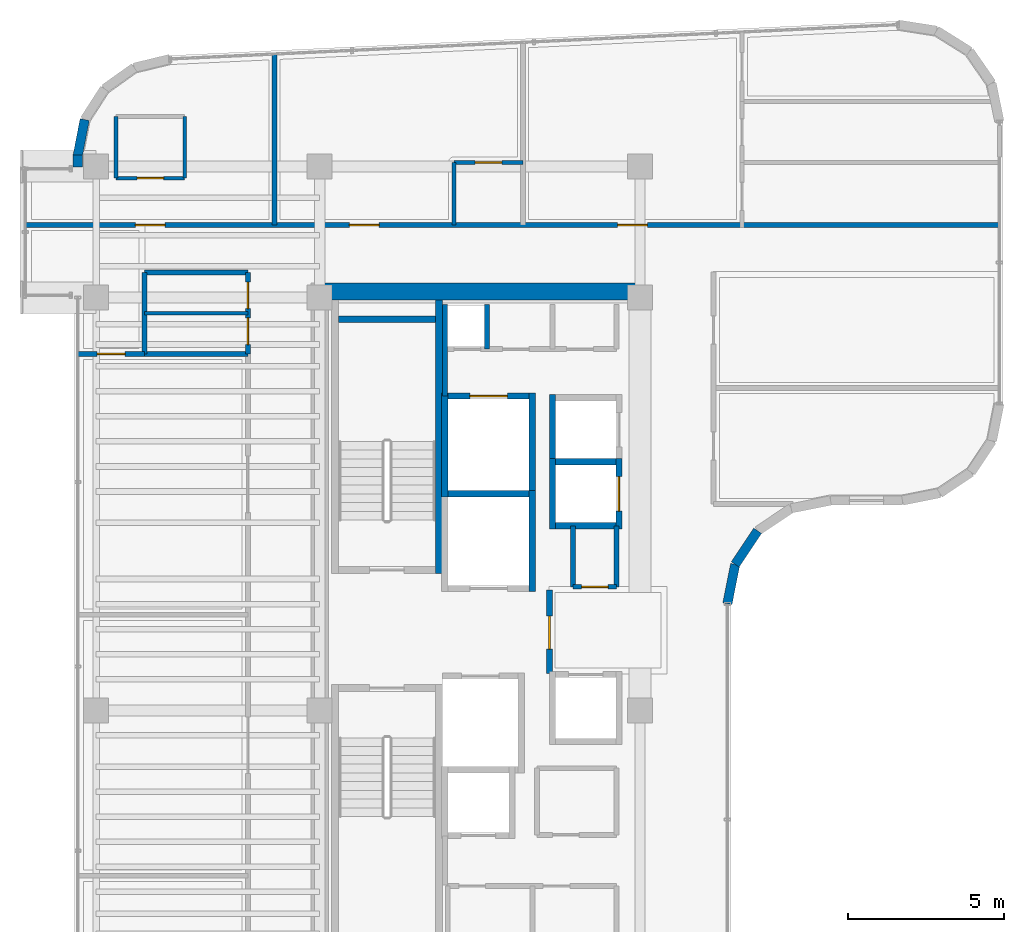
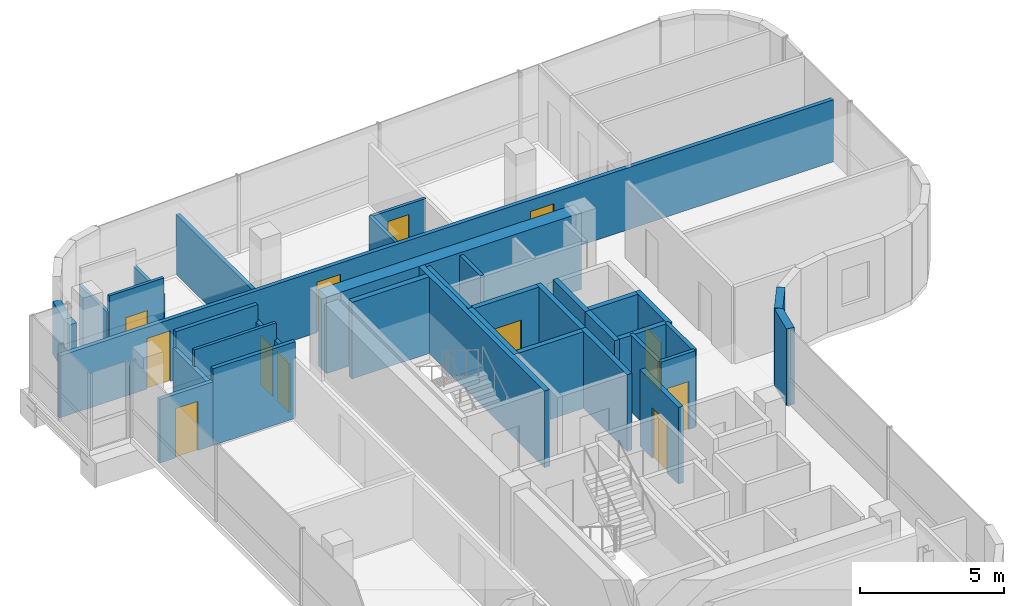
# One storey, part 17 of 21: 36 walls, 12 doors, 12 openings.
"""IFC4 building model written with IfcOpenShell, lengths in metres."""

from ifc_helpers import new_model, si_unit, direction, frame, frame_2d, origin, place, context, subcontext, project, spatial, rectangle, extrude, material, layer, layer_set, type_object, element, fill, save


model = new_model("IFC4")

# Units and contexts
model_context = context("Model", 3, precision=1e-05, world=origin(), true_north=direction((0.0, 1.0)))
body_context = subcontext(model_context, "Body", "Model", "MODEL_VIEW")
ifc_project = project(units=[si_unit("LENGTHUNIT", "METRE"), si_unit("AREAUNIT", "SQUARE_METRE"), si_unit("VOLUMEUNIT", "CUBIC_METRE"), si_unit("PLANEANGLEUNIT", "RADIAN"), si_unit("MASSUNIT", "GRAM", prefix="KILO")], contexts=[model_context])

# Site, building, storey
site_placement = place(None, origin())
site = spatial("IfcSite", under=ifc_project, at=site_placement, CompositionType="ELEMENT")
building_placement = place(site_placement, origin())
building = spatial("IfcBuilding", under=site, at=building_placement, Name="Valdorenza Pilgrim Sanctuary Tower", CompositionType="ELEMENT")
storey_placement = place(building_placement, frame((0.0, 0.0, 251.0)))
storey = spatial("IfcBuildingStorey", under=building, at=storey_placement, Name="L65", CompositionType="ELEMENT", Elevation=251.0)

# Walls
ifc_material_1 = material(Name="Acoustic twin-stud gypsum partition", Category="gypsum")
ifc_layer_1 = layer(ifc_material_1, 0.159912109375, Name="Acoustic twin-stud gypsum partition")
ifc_layer_set_1 = layer_set([ifc_layer_1], Name="Acoustic twin-stud gypsum partition")
wall_type_1 = type_object("IfcWallType", Name="WAL-COR-160", PredefinedType="PARTITIONING", material=ifc_layer_set_1)
wall_1_placement = place(storey_placement, frame((-18.64990234375, 7.449951171875, 0.0), z_axis=(0.0, 0.0, 1.0), x_axis=(0.0, 1.0, 0.0)))
element("IfcWall", 1, at=wall_1_placement, inside=storey, type_object=wall_type_1, Name="L65 Core A North Service West Wall", PredefinedType="PARTITIONING", context=body_context, shape_type="SweptSolid", body=[
    extrude(rectangle(XDim=2.929931640625, YDim=0.159912109375, at=frame_2d((1.46484375, 0.0))), origin(), (0.0, 0.0, 1.0), 3.260009765625),
])
wall_2_placement = place(storey_placement, frame((-17.300048828125, 8.949951171875, 0.0), z_axis=(0.0, 0.0, 1.0), x_axis=(0.0, 1.0, 0.0)))
element("IfcWall", 2, at=wall_2_placement, inside=storey, type_object=wall_type_1, Name="L65 Core Electrical Riser Wall", PredefinedType="PARTITIONING", context=body_context, shape_type="SweptSolid", body=[
    extrude(rectangle(XDim=1.429931640625, YDim=0.159912109375, at=frame_2d((0.71484375, 0.0))), origin(), (0.0, 0.0, 1.0), 3.260009765625),
])
wall_3_placement = place(storey_placement, frame((-13.14990234375, 1.35009765625, 0.0), z_axis=(0.0, 0.0, 1.0), x_axis=(0.0, 1.0, 0.0)))
element("IfcWall", 3, at=wall_3_placement, inside=storey, type_object=wall_type_1, Name="L65 Freed Shaft 6 East Wall", PredefinedType="PARTITIONING", context=body_context, shape_type="SweptSolid", body=[
    extrude(rectangle(XDim=1.949951171875, YDim=0.159912109375, at=frame_2d((0.97509765625, 0.0))), origin(), (0.0, 0.0, 1.0), 3.260009765625),
])
wall_4_placement = place(storey_placement, frame((-28.25, 8.800048828125, 0.0), z_axis=(0.0, 0.0, 1.0), x_axis=(0.0, 1.0, 0.0)))
element("IfcWall", 4, at=wall_4_placement, inside=storey, type_object=wall_type_1, Name="L65 Washroom West Wall", PredefinedType="PARTITIONING", context=body_context, shape_type="SweptSolid", body=[
    extrude(rectangle(XDim=2.599853515625, YDim=0.159912109375, at=frame_2d((1.2998046875, 0.0))), origin(), (0.0, 0.0, 1.0), 2.5439453125),
])

# Wall, openings, doors
wall_5_placement = place(storey_placement, frame((-24.949951171875, 8.800048828125, 0.0), z_axis=(0.0, 0.0, 1.0), x_axis=(0.0, 1.0, 0.0)))
wall_5 = element("IfcWall", 5, at=wall_5_placement, inside=storey, type_object=wall_type_1, Name="L65 Washroom East Wall", PredefinedType="PARTITIONING", context=body_context, shape_type="SweptSolid", body=[
    extrude(rectangle(XDim=2.599853515625, YDim=0.159912109375, at=frame_2d((1.2998046875, 0.0))), origin(), (0.0, 0.0, 1.0), 2.5439453125),
])
opening_1_placement = place(wall_5_placement, frame((0.300048828125, 0.0, 0.0)))
opening_1 = element("IfcOpeningElement", 6, at=opening_1_placement, cuts=wall_5, Name="Opening DR-WC1", PredefinedType="OPENING", context=body_context, shape_type="SweptSolid", body=[
    extrude(rectangle(XDim=0.85009765625, YDim=2.10009765625, at=frame_2d((0.425048828125, 1.050048828125))), frame((0.0, 0.0947265625, 0.0), z_axis=(0.0, -1.0, 0.0), x_axis=(1.0, 0.0, 0.0)), (0.0, 0.0, 1.0), 0.189697265625),
])
opening_2_placement = place(wall_5_placement, frame((1.449951171875, 0.0, 0.0)))
opening_2 = element("IfcOpeningElement", 7, at=opening_2_placement, cuts=wall_5, Name="Opening DR-WC1", PredefinedType="OPENING", context=body_context, shape_type="SweptSolid", body=[
    extrude(rectangle(XDim=0.85009765625, YDim=2.10009765625, at=frame_2d((0.425048828125, 1.050048828125))), frame((0.0, 0.0947265625, 0.0), z_axis=(0.0, -1.0, 0.0), x_axis=(1.0, 0.0, 0.0)), (0.0, 0.0, 1.0), 0.189697265625),
])
ifc_material_2 = material(Name="Moisture-resistant lacquered timber", Category="wood")
door_type_1 = type_object("IfcDoorType", Name="DR-BATH-850", OperationType="NOTDEFINED", PredefinedType="DOOR", material=ifc_material_2)
door_1_placement = place(opening_1_placement, origin())
door_1 = element("IfcDoor", 8, at=door_1_placement, inside=storey, type_object=door_type_1, Name="L65 Accessible Washroom Door", OperationType="SINGLE_SWING_RIGHT", OverallHeight=2.10009765625, OverallWidth=0.85009765625, PredefinedType="DOOR", context=body_context, shape_type="SweptSolid", body=[
    extrude(rectangle(XDim=0.85009765625, YDim=2.10009765625, at=frame_2d((0.425048828125, 1.050048828125))), frame((0.0, 0.02490234375, 0.0), z_axis=(0.0, -1.0, 0.0), x_axis=(1.0, 0.0, 0.0)), (0.0, 0.0, 1.0), 0.050048828125),
])
fill(opening_1, door_1)
door_2_placement = place(opening_2_placement, origin())
door_2 = element("IfcDoor", 9, at=door_2_placement, inside=storey, type_object=door_type_1, Name="L65 Public Washroom Door", OperationType="SINGLE_SWING_LEFT", OverallHeight=2.10009765625, OverallWidth=0.85009765625, PredefinedType="DOOR", context=body_context, shape_type="SweptSolid", body=[
    extrude(rectangle(XDim=0.85009765625, YDim=2.10009765625, at=frame_2d((0.425048828125, 1.050048828125))), frame((0.0, 0.02490234375, 0.0), z_axis=(0.0, -1.0, 0.0), x_axis=(1.0, 0.0, 0.0)), (0.0, 0.0, 1.0), 0.050048828125),
])
fill(opening_2, door_2)

# Walls
for number, where, z_axis, x_axis, name in (
    (10, (-28.25, 8.800048828125, 0.0), (0.0, 0.0, 1.0), (1.0, 0.0, 0.0), "L65 Washroom South Wall"),
    (11, (-28.25, 11.39990234375, 0.0), (0.0, 0.0, 1.0), (1.0, 0.0, 0.0), "L65 Washroom North Wall"),
):
    element("IfcWall", number, at=place(storey_placement, frame(where, z_axis=z_axis, x_axis=x_axis)), inside=storey, type_object=wall_type_1, Name=name, PredefinedType="PARTITIONING", context=body_context, shape_type="SweptSolid", body=[
        extrude(rectangle(XDim=3.300048828125, YDim=0.159912109375, at=frame_2d((1.64990234375, 0.0))), origin(), (0.0, 0.0, 1.0), 3.260009765625),
    ])

# Wall, opening, door
wall_6_placement = place(storey_placement, frame((-30.389892578125, 8.800048828125, 0.0), z_axis=(0.0, 0.0, 1.0), x_axis=(1.0, 0.0, 0.0)))
wall_6 = element("IfcWall", 12, at=wall_6_placement, inside=storey, type_object=wall_type_1, Name="L65 West North Alcove Wall", PredefinedType="PARTITIONING", context=body_context, shape_type="SweptSolid", body=[
    extrude(rectangle(XDim=2.139892578125, YDim=0.159912109375, at=frame_2d((1.06982421875, 0.0))), origin(), (0.0, 0.0, 1.0), 2.7060546875),
])
opening_3_placement = place(wall_6_placement, frame((0.6201171875, 0.0, 0.0)))
opening_3 = element("IfcOpeningElement", 13, at=opening_3_placement, cuts=wall_6, Name="Opening DR-RM1", PredefinedType="OPENING", context=body_context, shape_type="SweptSolid", body=[
    extrude(rectangle(XDim=0.89990234375, YDim=2.10009765625, at=frame_2d((0.449951171875, 1.050048828125))), frame((0.0, 0.0947265625, 0.0), z_axis=(0.0, -1.0, 0.0), x_axis=(1.0, 0.0, 0.0)), (0.0, 0.0, 1.0), 0.189697265625),
])
ifc_material_3 = material(Name="Solid-core European oak timber", Category="wood")
door_type_2 = type_object("IfcDoorType", Name="DR-ROOM-900", OperationType="NOTDEFINED", PredefinedType="DOOR", material=ifc_material_3)
door_3_placement = place(opening_3_placement, origin())
door_3 = element("IfcDoor", 14, at=door_3_placement, inside=storey, type_object=door_type_2, Name="L65 Pilgrim Scholar Office L65-WN Door", OperationType="SINGLE_SWING_RIGHT", OverallHeight=2.10009765625, OverallWidth=0.89990234375, PredefinedType="DOOR", context=body_context, shape_type="SweptSolid", body=[
    extrude(rectangle(XDim=0.89990234375, YDim=2.10009765625, at=frame_2d((0.449951171875, 1.050048828125))), frame((0.0, 0.02490234375, 0.0), z_axis=(0.0, -1.0, 0.0), x_axis=(1.0, 0.0, 0.0)), (0.0, 0.0, 1.0), 0.050048828125),
])
fill(opening_3, door_3)

# Wall, openings, doors
wall_7_placement = place(storey_placement, frame((-32.0400390625, 12.919921875, 0.0), z_axis=(0.0, 0.0, 1.0), x_axis=(1.0, 0.0, 0.0)))
wall_7 = element("IfcWall", 15, at=wall_7_placement, inside=storey, type_object=wall_type_1, Name="L65 North Corridor Wall", PredefinedType="PARTITIONING", context=body_context, shape_type="SweptSolid", body=[
    extrude(rectangle(XDim=31.130126953125, YDim=0.159912109375, at=frame_2d((15.56494140625, 0.0))), origin(), (0.0, 0.0, 1.0), 2.634033203125),
])
opening_4_placement = place(wall_7_placement, frame((3.498046875, 0.0, 0.0)))
opening_4 = element("IfcOpeningElement", 16, at=opening_4_placement, cuts=wall_7, Name="Opening DR-UN1", PredefinedType="OPENING", context=body_context, shape_type="SweptSolid", body=[
    extrude(rectangle(XDim=0.949951171875, YDim=2.14990234375, at=frame_2d((0.47509765625, 1.074951171875))), frame((0.0, 0.0947265625, 0.0), z_axis=(0.0, -1.0, 0.0), x_axis=(1.0, 0.0, 0.0)), (0.0, 0.0, 1.0), 0.189697265625),
])
opening_5_placement = place(wall_7_placement, frame((10.342041015625, 0.0, 0.0)))
opening_5 = element("IfcOpeningElement", 17, at=opening_5_placement, cuts=wall_7, Name="Opening DR-UN1", PredefinedType="OPENING", context=body_context, shape_type="SweptSolid", body=[
    extrude(rectangle(XDim=0.949951171875, YDim=2.14990234375, at=frame_2d((0.47509765625, 1.074951171875))), frame((0.0, 0.0947265625, 0.0), z_axis=(0.0, -1.0, 0.0), x_axis=(1.0, 0.0, 0.0)), (0.0, 0.0, 1.0), 0.189697265625),
])
opening_6_placement = place(wall_7_placement, frame((18.919921875, 0.0, 0.0)))
opening_6 = element("IfcOpeningElement", 18, at=opening_6_placement, cuts=wall_7, Name="Opening DR-UN1", PredefinedType="OPENING", context=body_context, shape_type="SweptSolid", body=[
    extrude(rectangle(XDim=0.949951171875, YDim=2.14990234375, at=frame_2d((0.47509765625, 1.074951171875))), frame((0.0, 0.0947265625, 0.0), z_axis=(0.0, -1.0, 0.0), x_axis=(1.0, 0.0, 0.0)), (0.0, 0.0, 1.0), 0.189697265625),
])
door_type_3 = type_object("IfcDoorType", Name="DR-UNIT-950", OperationType="NOTDEFINED", PredefinedType="DOOR", material=ifc_material_3)
door_4_placement = place(opening_4_placement, frame((0.949951171875, 0.0, 0.0), z_axis=(0.0, 0.0, 1.0), x_axis=(-1.0, 0.0, 0.0)))
door_4 = element("IfcDoor", 19, at=door_4_placement, inside=storey, type_object=door_type_3, Name="L65 North Sanctuary Guest Room L65-N1A Entrance Door", OperationType="SINGLE_SWING_LEFT", OverallHeight=2.14990234375, OverallWidth=0.949951171875, PredefinedType="DOOR", context=body_context, shape_type="SweptSolid", body=[
    extrude(rectangle(XDim=0.949951171875, YDim=2.14990234375, at=frame_2d((0.47509765625, 1.074951171875))), frame((0.0, 0.02490234375, 0.0), z_axis=(0.0, -1.0, 0.0), x_axis=(1.0, 0.0, 0.0)), (0.0, 0.0, 1.0), 0.050048828125),
])
fill(opening_4, door_4)
door_5_placement = place(opening_5_placement, frame((0.949951171875, 0.0, 0.0), z_axis=(0.0, 0.0, 1.0), x_axis=(-1.0, 0.0, 0.0)))
door_5 = element("IfcDoor", 20, at=door_5_placement, inside=storey, type_object=door_type_3, Name="L65 North Sanctuary Guest Room L65-N1B Entrance Door", OperationType="SINGLE_SWING_LEFT", OverallHeight=2.14990234375, OverallWidth=0.949951171875, PredefinedType="DOOR", context=body_context, shape_type="SweptSolid", body=[
    extrude(rectangle(XDim=0.949951171875, YDim=2.14990234375, at=frame_2d((0.47509765625, 1.074951171875))), frame((0.0, 0.02490234375, 0.0), z_axis=(0.0, -1.0, 0.0), x_axis=(1.0, 0.0, 0.0)), (0.0, 0.0, 1.0), 0.050048828125),
])
fill(opening_5, door_5)
door_6_placement = place(opening_6_placement, frame((0.949951171875, 0.0, 0.0), z_axis=(0.0, 0.0, 1.0), x_axis=(-1.0, 0.0, 0.0)))
door_6 = element("IfcDoor", 21, at=door_6_placement, inside=storey, type_object=door_type_3, Name="L65 North Sanctuary Apartment L65-N2 Entrance Door", OperationType="SINGLE_SWING_LEFT", OverallHeight=2.14990234375, OverallWidth=0.949951171875, PredefinedType="DOOR", context=body_context, shape_type="SweptSolid", body=[
    extrude(rectangle(XDim=0.949951171875, YDim=2.14990234375, at=frame_2d((0.47509765625, 1.074951171875))), frame((0.0, 0.02490234375, 0.0), z_axis=(0.0, -1.0, 0.0), x_axis=(1.0, 0.0, 0.0)), (0.0, 0.0, 1.0), 0.050048828125),
])
fill(opening_6, door_6)

# Walls
ifc_material_4 = material(Name="Concrete C50/60", Category="concrete")
ifc_layer_2 = layer(ifc_material_4, 0.550048828125, Name="Concrete C50/60")
ifc_layer_set_2 = layer_set([ifc_layer_2], Name="Concrete C50/60")
wall_type_2 = type_object("IfcWallType", Name="WAL-COR-550", PredefinedType="SHEAR", material=ifc_layer_set_2)
wall_8_placement = place(storey_placement, frame((-22.64990234375, 10.800048828125, 0.0), z_axis=(0.0, 0.0, 1.0), x_axis=(1.0, 0.0, 0.0)))
element("IfcWall", 22, at=wall_8_placement, inside=storey, type_object=wall_type_2, Name="L65 Split Core A Shear Wall N", PredefinedType="SHEAR", context=body_context, shape_type="SweptSolid", body=[
    extrude(rectangle(XDim=10.25, YDim=0.550048828125, at=frame_2d((5.125, 0.0))), origin(), (0.0, 0.0, 1.0), 3.260009765625),
])
ifc_material_5 = material(Name="Honed travertine limestone", Category="masonry")
ifc_layer_3 = layer(ifc_material_5, 0.300048828125, Name="Honed travertine limestone")
ifc_layer_set_3 = layer_set([ifc_layer_3], Name="Honed travertine limestone")
wall_type_3 = type_object("IfcWallType", Name="WAL-EXT-300", PredefinedType="SOLIDWALL", material=ifc_layer_set_3)
wall_9_placement = place(storey_placement, frame((-30.389892578125, 14.780029296875, 0.0), z_axis=(0.0, 0.0, 1.0), x_axis=(0.0, 1.0, 0.0)))
element("IfcWall", 23, at=wall_9_placement, inside=storey, type_object=wall_type_3, Name="L65 Facade Box Closure Stone Jamb 2", PredefinedType="SOLIDWALL", context=body_context, shape_type="SweptSolid", body=[
    extrude(rectangle(XDim=0.376708984375, YDim=0.300048828125, at=frame_2d((0.1884765625, 0.0))), origin(), (0.0, 0.0, 1.0), 2.2451171875),
])
wall_10_placement = place(storey_placement, frame((-30.389892578125, 15.13671875, 0.0), z_axis=(0.0, 0.0, 1.0), x_axis=(0.189307792679, 0.981917796779, 0.0)))
element("IfcWall", 24, at=wall_10_placement, inside=storey, type_object=wall_type_3, Name="L65 Rounded Wind-Corner Stone Pier 2", PredefinedType="SOLIDWALL", context=body_context, shape_type="SweptSolid", body=[
    extrude(rectangle(XDim=1.179931640625, YDim=0.300048828125, at=frame_2d((0.58984375, 0.0))), origin(), (0.0, 0.0, 1.0), 2.2451171875),
])
wall_11_placement = place(storey_placement, frame((-8.64208984375, 3.14208984375, 0.0), z_axis=(0.0, 0.0, 1.0), x_axis=(-0.555528135371, -0.831497739511, 0.0)))
element("IfcWall", 25, at=wall_11_placement, inside=storey, type_object=wall_type_3, Name="L65 Rounded Wind-Corner Stone Pier 19", PredefinedType="SOLIDWALL", context=body_context, shape_type="SweptSolid", body=[
    extrude(rectangle(XDim=1.29248046875, YDim=0.300048828125, at=frame_2d((0.646240234375, 0.0))), origin(), (0.0, 0.0, 1.0), 3.260009765625),
])
wall_12_placement = place(storey_placement, frame((-9.360107421875, 2.0673828125, 0.0), z_axis=(0.0, 0.0, 1.0), x_axis=(-0.195126623715, -0.980778058848, 0.0)))
element("IfcWall", 26, at=wall_12_placement, inside=storey, type_object=wall_type_3, Name="L65 Rounded Wind-Corner Stone Pier 20", PredefinedType="SOLIDWALL", context=body_context, shape_type="SweptSolid", body=[
    extrude(rectangle(XDim=1.28125, YDim=0.300048828125, at=frame_2d((0.640625, 0.0))), origin(), (0.0, 0.0, 1.0), 3.260009765625),
])

# Wall, opening, door
ifc_material_6 = material(Name="Gypsum shaftwall partition", Category="gypsum")
ifc_layer_4 = layer(ifc_material_6, 0.199951171875, Name="Gypsum shaftwall partition")
ifc_layer_set_4 = layer_set([ifc_layer_4], Name="Gypsum shaftwall partition")
wall_type_4 = type_object("IfcWallType", Name="WAL-FFL-200", PredefinedType="PARTITIONING", material=ifc_layer_set_4)
wall_13_placement = place(storey_placement, frame((-15.300048828125, -1.419921875, 0.0), z_axis=(0.0, 0.0, 1.0), x_axis=(0.0, 1.0, 0.0)))
wall_13 = element("IfcWall", 27, at=wall_13_placement, inside=storey, type_object=wall_type_4, Name="L65 Core A Firefighting Lobby East Wall", PredefinedType="PARTITIONING", context=body_context, shape_type="SweptSolid", body=[
    extrude(rectangle(XDim=2.669921875, YDim=0.199951171875, at=frame_2d((1.3349609375, 0.0))), origin(), (0.0, 0.0, 1.0), 3.260009765625),
])
opening_7_placement = place(wall_13_placement, frame((0.780029296875, 0.0, 0.0)))
opening_7 = element("IfcOpeningElement", 28, at=opening_7_placement, cuts=wall_13, Name="Opening DR-FL1", PredefinedType="OPENING", context=body_context, shape_type="SweptSolid", body=[
    extrude(rectangle(XDim=1.050048828125, YDim=2.14990234375, at=frame_2d((0.52490234375, 1.074951171875))), frame((0.0, 0.11474609375, 0.0), z_axis=(0.0, -1.0, 0.0), x_axis=(1.0, 0.0, 0.0)), (0.0, 0.0, 1.0), 0.229736328125),
])
ifc_material_7 = material(Name="Painted galvanized steel", Category="steel")
door_type_4 = type_object("IfcDoorType", Name="DR-FFL-1050", OperationType="NOTDEFINED", PredefinedType="DOOR", material=ifc_material_7)
door_7_placement = place(opening_7_placement, origin())
door_7 = element("IfcDoor", 29, at=door_7_placement, inside=storey, type_object=door_type_4, Name="L65 Core A Firefighting Lobby Door", OperationType="SINGLE_SWING_RIGHT", OverallHeight=2.14990234375, OverallWidth=1.050048828125, PredefinedType="DOOR", context=body_context, shape_type="SweptSolid", body=[
    extrude(rectangle(XDim=1.050048828125, YDim=2.14990234375, at=frame_2d((0.52490234375, 1.074951171875))), frame((0.0, 0.02490234375, 0.0), z_axis=(0.0, -1.0, 0.0), x_axis=(1.0, 0.0, 0.0)), (0.0, 0.0, 1.0), 0.050048828125),
])
fill(opening_7, door_7)

# Walls
ifc_material_8 = material(Name="Moisture-resistant gypsum partition", Category="gypsum")
ifc_layer_5 = layer(ifc_material_8, 0.1201171875, Name="Moisture-resistant gypsum partition")
ifc_layer_set_5 = layer_set([ifc_layer_5], Name="Moisture-resistant gypsum partition")
wall_type_5 = type_object("IfcWallType", Name="WAL-INT-120", PredefinedType="PARTITIONING", material=ifc_layer_set_5)
wall_14_placement = place(storey_placement, frame((-28.25, 10.10009765625, 0.0), z_axis=(0.0, 0.0, 1.0), x_axis=(1.0, 0.0, 0.0)))
element("IfcWall", 30, at=wall_14_placement, inside=storey, type_object=wall_type_5, Name="L65 Washroom Divider Wall", PredefinedType="PARTITIONING", context=body_context, shape_type="SweptSolid", body=[
    extrude(rectangle(XDim=3.300048828125, YDim=0.1201171875, at=frame_2d((1.64990234375, 0.0))), origin(), (0.0, 0.0, 1.0), 3.260009765625),
])
for number, where, z_axis, x_axis, name in (
    (31, (-29.16748046875, 14.419921875, 0.0), (0.0, 0.0, 1.0), (0.0, 1.0, 0.0), "L65 North Sanctuary Guest Room L65-N1A En-suite West Wall"),
    (32, (-26.967529296875, 14.419921875, 0.0), (0.0, 0.0, 1.0), (0.0, 1.0, 0.0), "L65 North Sanctuary Guest Room L65-N1A En-suite East Wall"),
):
    element("IfcWall", number, at=place(storey_placement, frame(where, z_axis=z_axis, x_axis=x_axis)), inside=storey, type_object=wall_type_5, Name=name, PredefinedType="PARTITIONING", context=body_context, shape_type="SweptSolid", body=[
        extrude(rectangle(XDim=1.969970703125, YDim=0.1201171875, at=frame_2d((0.98486328125, 0.0))), origin(), (0.0, 0.0, 1.0), 2.5439453125),
    ])

# Wall, opening, door
wall_15_placement = place(storey_placement, frame((-29.16748046875, 14.419921875, 0.0), z_axis=(0.0, 0.0, 1.0), x_axis=(1.0, 0.0, 0.0)))
wall_15 = element("IfcWall", 33, at=wall_15_placement, inside=storey, type_object=wall_type_5, Name="L65 North Sanctuary Guest Room L65-N1A En-suite Door Wall", PredefinedType="PARTITIONING", context=body_context, shape_type="SweptSolid", body=[
    extrude(rectangle(XDim=2.199951171875, YDim=0.1201171875, at=frame_2d((1.10009765625, 0.0))), origin(), (0.0, 0.0, 1.0), 3.260009765625),
])
opening_8_placement = place(wall_15_placement, frame((0.675048828125, 0.0, 0.0)))
opening_8 = element("IfcOpeningElement", 34, at=opening_8_placement, cuts=wall_15, Name="Opening DR-WC1", PredefinedType="OPENING", context=body_context, shape_type="SweptSolid", body=[
    extrude(rectangle(XDim=0.85009765625, YDim=2.10009765625, at=frame_2d((0.425048828125, 1.050048828125))), frame((0.0, 0.074951171875, 0.0), z_axis=(0.0, -1.0, 0.0), x_axis=(1.0, 0.0, 0.0)), (0.0, 0.0, 1.0), 0.14990234375),
])
door_8_placement = place(opening_8_placement, origin())
door_8 = element("IfcDoor", 35, at=door_8_placement, inside=storey, type_object=door_type_1, Name="L65 North Sanctuary Guest Room L65-N1A En-suite Bathroom Door", OperationType="SINGLE_SWING_RIGHT", OverallHeight=2.10009765625, OverallWidth=0.85009765625, PredefinedType="DOOR", context=body_context, shape_type="SweptSolid", body=[
    extrude(rectangle(XDim=0.85009765625, YDim=2.10009765625, at=frame_2d((0.425048828125, 1.050048828125))), frame((0.0, 0.02490234375, 0.0), z_axis=(0.0, -1.0, 0.0), x_axis=(1.0, 0.0, 0.0)), (0.0, 0.0, 1.0), 0.050048828125),
])
fill(opening_8, door_8)

# Wall
wall_16_placement = place(storey_placement, frame((-18.35009765625, 12.919921875, 0.0), z_axis=(0.0, 0.0, 1.0), x_axis=(0.0, 1.0, 0.0)))
element("IfcWall", 36, at=wall_16_placement, inside=storey, type_object=wall_type_5, Name="L65 North Sanctuary Guest Room L65-N1B En-suite West Wall", PredefinedType="PARTITIONING", context=body_context, shape_type="SweptSolid", body=[
    extrude(rectangle(XDim=2.0, YDim=0.1201171875, at=frame_2d((1.0, 0.0))), origin(), (0.0, 0.0, 1.0), 2.5439453125),
])

# Wall, opening, door
wall_17_placement = place(storey_placement, frame((-18.35009765625, 14.919921875, 0.0), z_axis=(0.0, 0.0, 1.0), x_axis=(1.0, 0.0, 0.0)))
wall_17 = element("IfcWall", 37, at=wall_17_placement, inside=storey, type_object=wall_type_5, Name="L65 North Sanctuary Guest Room L65-N1B En-suite Door Wall", PredefinedType="PARTITIONING", context=body_context, shape_type="SweptSolid", body=[
    extrude(rectangle(XDim=2.2001953125, YDim=0.1201171875, at=frame_2d((1.10009765625, 0.0))), origin(), (0.0, 0.0, 1.0), 2.5439453125),
])
opening_9_placement = place(wall_17_placement, frame((0.675048828125, 0.0, 0.0)))
opening_9 = element("IfcOpeningElement", 38, at=opening_9_placement, cuts=wall_17, Name="Opening DR-WC1", PredefinedType="OPENING", context=body_context, shape_type="SweptSolid", body=[
    extrude(rectangle(XDim=0.85009765625, YDim=2.10009765625, at=frame_2d((0.425048828125, 1.050048828125))), frame((0.0, 0.074951171875, 0.0), z_axis=(0.0, -1.0, 0.0), x_axis=(1.0, 0.0, 0.0)), (0.0, 0.0, 1.0), 0.14990234375),
])
door_9_placement = place(opening_9_placement, origin())
door_9 = element("IfcDoor", 39, at=door_9_placement, inside=storey, type_object=door_type_1, Name="L65 North Sanctuary Guest Room L65-N1B En-suite Bathroom Door", OperationType="SINGLE_SWING_RIGHT", OverallHeight=2.10009765625, OverallWidth=0.85009765625, PredefinedType="DOOR", context=body_context, shape_type="SweptSolid", body=[
    extrude(rectangle(XDim=0.85009765625, YDim=2.10009765625, at=frame_2d((0.425048828125, 1.050048828125))), frame((0.0, 0.02490234375, 0.0), z_axis=(0.0, -1.0, 0.0), x_axis=(1.0, 0.0, 0.0)), (0.0, 0.0, 1.0), 0.050048828125),
])
fill(opening_9, door_9)

# Walls
ifc_material_9 = material(Name="Autoclaved aerated concrete blockwork", Category="masonry")
ifc_layer_6 = layer(ifc_material_9, 0.199951171875, Name="Autoclaved aerated concrete blockwork")
ifc_layer_set_6 = layer_set([ifc_layer_6], Name="Autoclaved aerated concrete blockwork")
wall_type_6 = type_object("IfcWallType", Name="WAL-SHF-200", PredefinedType="MOVABLE", material=ifc_layer_set_6)
wall_18_placement = place(storey_placement, frame((-15.85009765625, 1.199951171875, 0.0), z_axis=(0.0, 0.0, 1.0), x_axis=(0.0, 1.0, 0.0)))
element("IfcWall", 40, at=wall_18_placement, inside=storey, type_object=wall_type_6, Name="L65 Lift FFL-01 Hoistway Wall East", PredefinedType="MOVABLE", context=body_context, shape_type="SweptSolid", body=[
    extrude(rectangle(XDim=3.22509765625, YDim=0.199951171875, at=frame_2d((1.612548828125, 0.0))), origin(), (0.0, 0.0, 1.0), 3.260009765625),
])
wall_19_placement = place(storey_placement, frame((-18.550048828125, 4.324951171875, 0.0), z_axis=(0.0, 0.0, 1.0), x_axis=(1.0, 0.0, 0.0)))
element("IfcWall", 41, at=wall_19_placement, inside=storey, type_object=wall_type_6, Name="L65 Lift FFL-01 Hoistway Wall North", PredefinedType="MOVABLE", context=body_context, shape_type="SweptSolid", body=[
    extrude(rectangle(XDim=2.60009765625, YDim=0.199951171875, at=frame_2d((1.300048828125, 0.0))), origin(), (0.0, 0.0, 1.0), 3.260009765625),
])
for number, where, z_axis, x_axis, name in (
    (42, (-18.64990234375, 4.22509765625, 0.0), (0.0, 0.0, 1.0), (0.0, 1.0, 0.0), "L65 Lift SVL-01 Hoistway Wall West"),
    (43, (-15.85009765625, 4.22509765625, 0.0), (0.0, 0.0, 1.0), (0.0, 1.0, 0.0), "L65 Lift SVL-01 Hoistway Wall East"),
):
    element("IfcWall", number, at=place(storey_placement, frame(where, z_axis=z_axis, x_axis=x_axis)), inside=storey, type_object=wall_type_6, Name=name, PredefinedType="MOVABLE", context=body_context, shape_type="SweptSolid", body=[
        extrude(rectangle(XDim=3.324951171875, YDim=0.199951171875, at=frame_2d((1.66259765625, 0.0))), origin(), (0.0, 0.0, 1.0), 3.260009765625),
    ])

# Wall, opening, door
wall_20_placement = place(storey_placement, frame((-18.550048828125, 7.449951171875, 0.0), z_axis=(0.0, 0.0, 1.0), x_axis=(1.0, 0.0, 0.0)))
wall_20 = element("IfcWall", 44, at=wall_20_placement, inside=storey, type_object=wall_type_6, Name="L65 Lift SVL-01 Hoistway Wall North", PredefinedType="MOVABLE", context=body_context, shape_type="SweptSolid", body=[
    extrude(rectangle(XDim=2.60009765625, YDim=0.199951171875, at=frame_2d((1.300048828125, 0.0))), origin(), (0.0, 0.0, 1.0), 3.260009765625),
])
opening_10_placement = place(wall_20_placement, frame((0.699951171875, 0.0, 0.0)))
opening_10 = element("IfcOpeningElement", 45, at=opening_10_placement, cuts=wall_20, Name="Opening LD-02", PredefinedType="OPENING", context=body_context, shape_type="SweptSolid", body=[
    extrude(rectangle(XDim=1.199951171875, YDim=2.10009765625, at=frame_2d((0.60009765625, 1.050048828125))), frame((0.0, 0.11474609375, 0.0), z_axis=(0.0, -1.0, 0.0), x_axis=(1.0, 0.0, 0.0)), (0.0, 0.0, 1.0), 0.229736328125),
])
ifc_material_10 = material(Name="Brushed stainless steel Grade 316", Category="steel")
door_type_5 = type_object("IfcDoorType", Name="DR-LFT-1200", OperationType="DOUBLE_DOOR_SLIDING", PredefinedType="DOOR", material=ifc_material_10)
door_10_placement = place(opening_10_placement, origin())
door_10 = element("IfcDoor", 46, at=door_10_placement, inside=storey, type_object=door_type_5, Name="L65 Lift SVL-01 Sliding Landing Door", OperationType="DOUBLE_DOOR_SLIDING", OverallHeight=2.10009765625, OverallWidth=1.199951171875, PredefinedType="DOOR", context=body_context, shape_type="SweptSolid", body=[
    extrude(rectangle(XDim=1.199951171875, YDim=2.10009765625, at=frame_2d((0.60009765625, 1.050048828125))), frame((0.0, 0.02490234375, 0.0), z_axis=(0.0, -1.0, 0.0), x_axis=(1.0, 0.0, 0.0)), (0.0, 0.0, 1.0), 0.050048828125),
])
fill(opening_10, door_10)

# Wall
wall_21_placement = place(storey_placement, frame((-15.199951171875, 3.199951171875, 0.0), z_axis=(0.0, 0.0, 1.0), x_axis=(0.0, 1.0, 0.0)))
element("IfcWall", 47, at=wall_21_placement, inside=storey, type_object=wall_type_6, Name="L65 Lift PL-09 Hoistway Wall West", PredefinedType="MOVABLE", context=body_context, shape_type="SweptSolid", body=[
    extrude(rectangle(XDim=2.25, YDim=0.199951171875, at=frame_2d((1.125, 0.0))), origin(), (0.0, 0.0, 1.0), 3.260009765625),
])

# Wall, opening, door
wall_22_placement = place(storey_placement, frame((-13.080078125, 3.199951171875, 0.0), z_axis=(0.0, 0.0, 1.0), x_axis=(0.0, 1.0, 0.0)))
wall_22 = element("IfcWall", 48, at=wall_22_placement, inside=storey, type_object=wall_type_6, Name="L65 Lift PL-09 Hoistway Wall East", PredefinedType="MOVABLE", context=body_context, shape_type="SweptSolid", body=[
    extrude(rectangle(XDim=2.25, YDim=0.199951171875, at=frame_2d((1.125, 0.0))), origin(), (0.0, 0.0, 1.0), 3.260009765625),
])
opening_11_placement = place(wall_22_placement, frame((0.574951171875, 0.0, 0.0)))
opening_11 = element("IfcOpeningElement", 49, at=opening_11_placement, cuts=wall_22, Name="Opening LD-01", PredefinedType="OPENING", context=body_context, shape_type="SweptSolid", body=[
    extrude(rectangle(XDim=1.10009765625, YDim=2.10009765625, at=frame_2d((0.550048828125, 1.050048828125))), frame((0.0, 0.11474609375, 0.0), z_axis=(0.0, -1.0, 0.0), x_axis=(1.0, 0.0, 0.0)), (0.0, 0.0, 1.0), 0.229736328125),
])
door_type_6 = type_object("IfcDoorType", Name="DR-LFT-1100", OperationType="DOUBLE_DOOR_SLIDING", PredefinedType="DOOR", material=ifc_material_10)
door_11_placement = place(opening_11_placement, origin())
door_11 = element("IfcDoor", 50, at=door_11_placement, inside=storey, type_object=door_type_6, Name="L65 Lift PL-09 Sliding Landing Door", OperationType="DOUBLE_DOOR_SLIDING", OverallHeight=2.10009765625, OverallWidth=1.10009765625, PredefinedType="DOOR", context=body_context, shape_type="SweptSolid", body=[
    extrude(rectangle(XDim=1.10009765625, YDim=2.10009765625, at=frame_2d((0.550048828125, 1.050048828125))), frame((0.0, 0.02490234375, 0.0), z_axis=(0.0, -1.0, 0.0), x_axis=(1.0, 0.0, 0.0)), (0.0, 0.0, 1.0), 0.050048828125),
])
fill(opening_11, door_11)

# Walls
for number, where, z_axis, x_axis, name in (
    (51, (-15.10009765625, 3.300048828125, 0.0), (0.0, 0.0, 1.0), (1.0, 0.0, 0.0), "L65 Lift PL-09 Hoistway Wall South"),
    (52, (-15.10009765625, 5.35009765625, 0.0), (0.0, 0.0, 1.0), (1.0, 0.0, 0.0), "L65 Lift PL-09 Hoistway Wall North"),
):
    element("IfcWall", number, at=place(storey_placement, frame(where, z_axis=z_axis, x_axis=x_axis)), inside=storey, type_object=wall_type_6, Name=name, PredefinedType="MOVABLE", context=body_context, shape_type="SweptSolid", body=[
        extrude(rectangle(XDim=1.920166015625, YDim=0.199951171875, at=frame_2d((0.9599609375, 0.0))), origin(), (0.0, 0.0, 1.0), 3.260009765625),
    ])
wall_23_placement = place(storey_placement, frame((-15.199951171875, 5.25, 0.0), z_axis=(0.0, 0.0, 1.0), x_axis=(0.0, 1.0, 0.0)))
element("IfcWall", 53, at=wall_23_placement, inside=storey, type_object=wall_type_6, Name="L65 Lift PL-10 Hoistway Wall West", PredefinedType="MOVABLE", context=body_context, shape_type="SweptSolid", body=[
    extrude(rectangle(XDim=2.25, YDim=0.199951171875, at=frame_2d((1.125, 0.0))), origin(), (0.0, 0.0, 1.0), 3.260009765625),
])
ifc_material_11 = material(Name="Concrete C40/50", Category="concrete")
ifc_layer_7 = layer(ifc_material_11, 0.219970703125, Name="Concrete C40/50")
ifc_layer_set_7 = layer_set([ifc_layer_7], Name="Concrete C40/50")
wall_type_7 = type_object("IfcWallType", Name="WAL-STR-SHF-220", PredefinedType="SHEAR", material=ifc_layer_set_7)
wall_24_placement = place(storey_placement, frame((-18.830078125, 1.780029296875, 0.0), z_axis=(0.0, 0.0, 1.0), x_axis=(0.0, 1.0, 0.0)))
element("IfcWall", 54, at=wall_24_placement, inside=storey, type_object=wall_type_7, Name="L65 ST-A1 Structural Stairwell Wall E", PredefinedType="SHEAR", context=body_context, shape_type="SweptSolid", body=[
    extrude(rectangle(XDim=8.744873046875, YDim=0.219970703125, at=frame_2d((4.37255859375, 0.0))), origin(), (0.0, 0.0, 1.0), 3.260009765625),
])
wall_25_placement = place(storey_placement, frame((-22.050048828125, 9.909912109375, 0.0), z_axis=(0.0, 0.0, 1.0), x_axis=(1.0, 0.0, 0.0)))
element("IfcWall", 55, at=wall_25_placement, inside=storey, type_object=wall_type_7, Name="L65 ST-A1 Structural Stairwell Wall N", PredefinedType="SHEAR", context=body_context, shape_type="SweptSolid", body=[
    extrude(rectangle(XDim=3.110107421875, YDim=0.219970703125, at=frame_2d((1.55517578125, 0.0))), origin(), (0.0, 0.0, 1.0), 3.260009765625),
])
ifc_layer_8 = layer(ifc_material_1, 0.14990234375, Name="Acoustic twin-stud gypsum partition")
ifc_layer_set_8 = layer_set([ifc_layer_8], Name="Acoustic twin-stud gypsum partition")
wall_type_8 = type_object("IfcWallType", Name="WAL-UNT-150", PredefinedType="PARTITIONING", material=ifc_layer_set_8)
wall_26_placement = place(storey_placement, frame((-14.550048828125, 1.35009765625, 0.0), z_axis=(0.0, 0.0, 1.0), x_axis=(0.0, 1.0, 0.0)))
element("IfcWall", 56, at=wall_26_placement, inside=storey, type_object=wall_type_8, Name="L65 Freed Shaft 6 West Wall", PredefinedType="PARTITIONING", context=body_context, shape_type="SweptSolid", body=[
    extrude(rectangle(XDim=1.949951171875, YDim=0.14990234375, at=frame_2d((0.97509765625, 0.0))), origin(), (0.0, 0.0, 1.0), 3.260009765625),
])

# Wall, opening, door
wall_27_placement = place(storey_placement, frame((-14.550048828125, 1.35009765625, 0.0), z_axis=(0.0, 0.0, 1.0), x_axis=(1.0, 0.0, 0.0)))
wall_27 = element("IfcWall", 57, at=wall_27_placement, inside=storey, type_object=wall_type_8, Name="L65 Freed Shaft 6 South Wall", PredefinedType="PARTITIONING", context=body_context, shape_type="SweptSolid", body=[
    extrude(rectangle(XDim=1.400146484375, YDim=0.14990234375, at=frame_2d((0.7001953125, 0.0))), origin(), (0.0, 0.0, 1.0), 3.260009765625),
])
opening_12_placement = place(wall_27_placement, frame((0.27490234375, 0.0, 0.0)))
opening_12 = element("IfcOpeningElement", 58, at=opening_12_placement, cuts=wall_27, Name="Opening DR-RS1", PredefinedType="OPENING", context=body_context, shape_type="SweptSolid", body=[
    extrude(rectangle(XDim=0.85009765625, YDim=2.050048828125, at=frame_2d((0.425048828125, 1.02490234375))), frame((0.0, 0.08984375, 0.0), z_axis=(0.0, -1.0, 0.0), x_axis=(1.0, 0.0, 0.0)), (0.0, 0.0, 1.0), 0.1796875),
])
door_type_7 = type_object("IfcDoorType", Name="DR-RSR-850", OperationType="NOTDEFINED", PredefinedType="DOOR", material=ifc_material_7)
door_12_placement = place(opening_12_placement, origin())
door_12 = element("IfcDoor", 59, at=door_12_placement, inside=storey, type_object=door_type_7, Name="L65 High-Rise Butler Pantry Door", OperationType="SINGLE_SWING_LEFT", OverallHeight=2.050048828125, OverallWidth=0.85009765625, PredefinedType="DOOR", context=body_context, shape_type="SweptSolid", body=[
    extrude(rectangle(XDim=0.85009765625, YDim=2.050048828125, at=frame_2d((0.425048828125, 1.02490234375))), frame((0.0, 0.02490234375, 0.0), z_axis=(0.0, -1.0, 0.0), x_axis=(1.0, 0.0, 0.0)), (0.0, 0.0, 1.0), 0.050048828125),
])
fill(opening_12, door_12)

# Wall
wall_28_placement = place(storey_placement, frame((-24.094970703125, 12.919921875, 0.0), z_axis=(0.0, 0.0, 1.0), x_axis=(0.0, 1.0, 0.0)))
element("IfcWall", 60, at=wall_28_placement, inside=storey, type_object=wall_type_8, Name="L65 North Sanctuary Guest Room L65-N1 Split Wall", PredefinedType="PARTITIONING", context=body_context, shape_type="SweptSolid", body=[
    extrude(rectangle(XDim=5.471923828125, YDim=0.14990234375, at=frame_2d((2.73583984375, 0.0))), origin(), (0.0, 0.0, 1.0), 2.5439453125),
])

save(model, "model.ifc")
